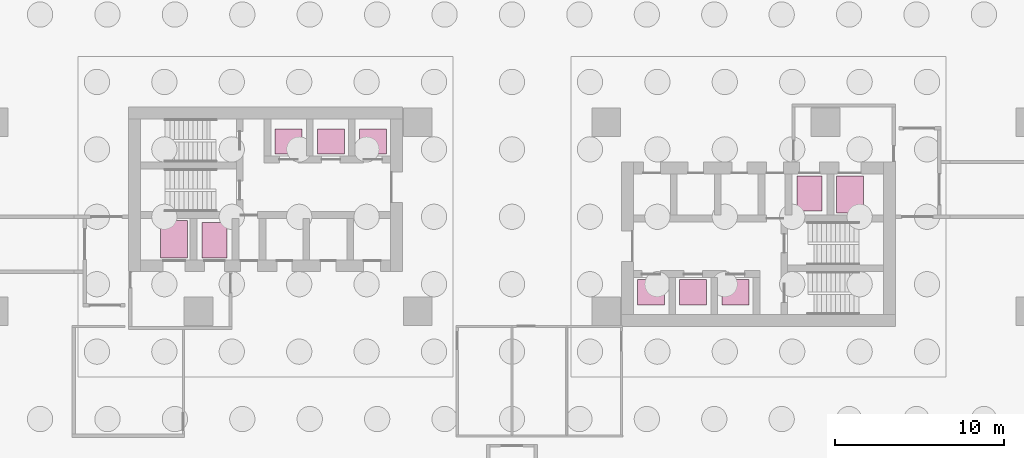
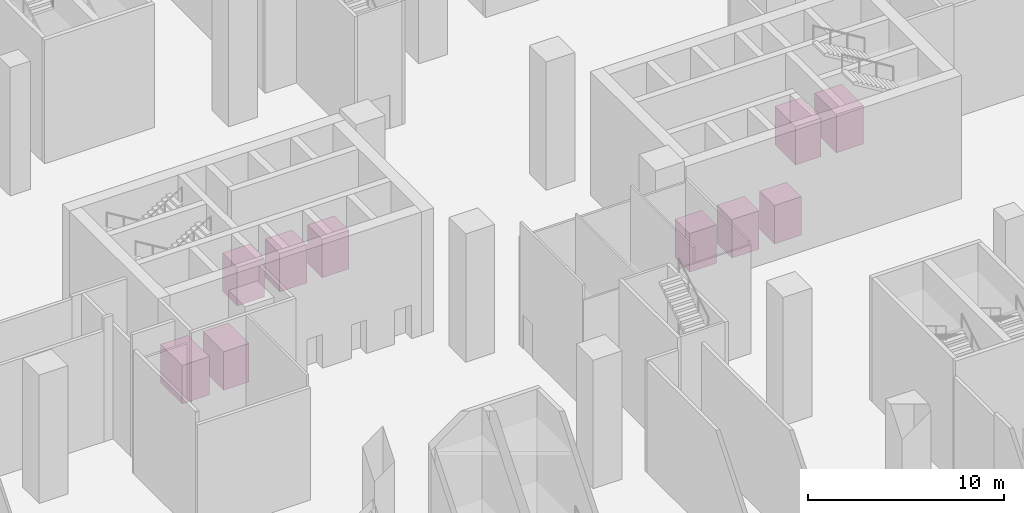
# One storey, part 27 of 27: 10 transport elements.
"""IFC4 building model written with IfcOpenShell, lengths in metres."""

import ifcopenshell
import ifcopenshell.guid

model = None  # the IFC model being written
_history = None  # IfcOwnerHistory: only IFC2X3 demands one
_inside = {}  # id of a spatial element -> (the spatial element, [elements in it])
_under = {}  # id of a project, library or spatial element -> (it, [spatial elements below it])
_declared = {}  # id of a project -> (the project, [libraries it declares])
_typed = {}  # id of a type object -> (the type object, [elements of that type])
_made_of = {}  # id of a material, layer set ... -> (it, [elements and type objects made of it])


def new_model(schema):
    """Start an empty IFC model of exactly this schema.

    Asked for "IFC4X3", IfcOpenShell would pick the latest addendum, in which some entities
    have other attributes; the version numbers below select the first issue.
    IFC2X3 requires an IfcOwnerHistory on every rooted entity: one is made here for all.
    """
    global model, _history
    if schema == "IFC4X3":
        model = ifcopenshell.file(schema_version=(4, 3, 0, 0))
    else:
        model = ifcopenshell.file(schema=schema)
    _inside.clear()
    _under.clear()
    _declared.clear()
    _typed.clear()
    _made_of.clear()
    _history = None
    if model.schema == "IFC2X3":
        org = make("IfcOrganization", Name="unknown")
        user = make(
            "IfcPersonAndOrganization",
            ThePerson=make("IfcPerson", FamilyName="unknown"),
            TheOrganization=org,
        )
        app = make(
            "IfcApplication",
            ApplicationDeveloper=org,
            Version="unknown",
            ApplicationFullName="unknown",
            ApplicationIdentifier="unknown",
        )
        _history = make(
            "IfcOwnerHistory",
            OwningUser=user,
            OwningApplication=app,
            ChangeAction="ADDED",
            CreationDate=0,
        )
    return model


def make(cls, **values):
    """One entity of the class cls with the attributes given. An attribute that is None is left unset."""
    return model.create_entity(
        cls, **{name: value for name, value in values.items() if value is not None}
    )


def rooted(cls, **values):
    """An entity with a GlobalId (a new one), such as an element, a storey or a relation."""
    return make(cls, GlobalId=ifcopenshell.guid.new(), OwnerHistory=_history, **values)


def si_unit(unit_type, name, prefix=None):
    """IfcSIUnit, for example si_unit("LENGTHUNIT", "METRE", prefix="MILLI")."""
    return make("IfcSIUnit", UnitType=unit_type, Prefix=prefix, Name=name)


def assignment(units):
    """IfcUnitAssignment: the units of a project."""
    return None if units is None else make("IfcUnitAssignment", Units=units)


def point(xyz):
    """IfcCartesianPoint."""
    return None if xyz is None else make("IfcCartesianPoint", Coordinates=xyz)


def direction(xyz):
    """IfcDirection."""
    return None if xyz is None else make("IfcDirection", DirectionRatios=xyz)


def frame(location, z_axis=None, x_axis=None):
    """IfcAxis2Placement3D, a coordinate frame: its origin and axes. An axis left out is left unset."""
    return make(
        "IfcAxis2Placement3D",
        Location=point(location),
        Axis=direction(z_axis),
        RefDirection=direction(x_axis),
    )


def frame_2d(location, x_axis=None):
    """IfcAxis2Placement2D, a coordinate frame in the plane: its origin and x axis."""
    return make(
        "IfcAxis2Placement2D", Location=point(location), RefDirection=direction(x_axis)
    )


def origin():
    """The frame at (0, 0, 0) with its axes left unset."""
    return frame((0.0, 0.0, 0.0))


def origin_2d():
    """The frame at (0, 0) in the plane with its x axis left unset."""
    return frame_2d((0.0, 0.0))


def place(relative_to, where):
    """IfcLocalPlacement: puts the frame where relative to a parent placement (None: the world)."""
    return make(
        "IfcLocalPlacement", PlacementRelTo=relative_to, RelativePlacement=where
    )


def context(
    kind, dimensions, precision=None, world=None, true_north=None, identifier=None
):
    """IfcGeometricRepresentationContext, for example the 3D "Model" context."""
    return make(
        "IfcGeometricRepresentationContext",
        ContextIdentifier=identifier,
        ContextType=kind,
        CoordinateSpaceDimension=dimensions,
        Precision=precision,
        WorldCoordinateSystem=world,
        TrueNorth=true_north,
    )


def subcontext(parent, identifier, kind, view, scale=None):
    """IfcGeometricRepresentationSubContext, for example "Body" below "Model"."""
    return make(
        "IfcGeometricRepresentationSubContext",
        ContextIdentifier=identifier,
        ContextType=kind,
        ParentContext=parent,
        TargetScale=scale,
        TargetView=view,
    )


def project(units=None, contexts=None):
    """IfcProject with its units and contexts."""
    return rooted(
        "IfcProject",
        Name="project",
        RepresentationContexts=contexts,
        UnitsInContext=assignment(units),
    )


def spatial(cls, under=None, at=None, **own):
    """A site, building, storey or space (cls), placed at a placement, below another one or the project."""
    s = rooted(cls, ObjectPlacement=at, **own)
    if under is not None:
        _under.setdefault(under.id(), (under, []))[1].append(s)
    return s


def profile(cls, at=None, kind="AREA", **sizes):
    """A parametric profile (cls). Its sizes go by their IFC names, for example OverallWidth=200.0."""
    return make(cls, ProfileType=kind, Position=at, **sizes)


def rectangle(**sizes):
    """IfcRectangleProfileDef."""
    return profile("IfcRectangleProfileDef", **sizes)


def extrude(swept, where, along, depth):
    """IfcExtrudedAreaSolid: the profile swept, set in the frame where, extruded along a direction by depth."""
    return make(
        "IfcExtrudedAreaSolid",
        SweptArea=swept,
        Position=where,
        ExtrudedDirection=direction(along),
        Depth=depth,
    )


def shape(context_of_items, identifier, shape_type, items):
    """IfcShapeRepresentation: the items that make up one representation, for example the "Body"."""
    return make(
        "IfcShapeRepresentation",
        ContextOfItems=context_of_items,
        RepresentationIdentifier=identifier,
        RepresentationType=shape_type,
        Items=items,
    )


def source(mapping_origin, context_of_items, identifier, shape_type, items):
    """IfcRepresentationMap: a shape defined once, which mapped items show again and again."""
    return make(
        "IfcRepresentationMap",
        MappingOrigin=mapping_origin,
        MappedRepresentation=shape(context_of_items, identifier, shape_type, items),
    )


def transform(
    local_origin,
    x_axis=None,
    y_axis=None,
    z_axis=None,
    scale=None,
    scale2=None,
    scale3=None,
    uniform=True,
):
    """IfcCartesianTransformationOperator3D, or its non-uniform kind. x_axis, y_axis, z_axis: its Axis1, 2, 3."""
    if uniform:
        return make(
            "IfcCartesianTransformationOperator3D",
            Axis1=direction(x_axis),
            Axis2=direction(y_axis),
            LocalOrigin=point(local_origin),
            Scale=scale,
            Axis3=direction(z_axis),
        )
    return make(
        "IfcCartesianTransformationOperator3DnonUniform",
        Axis1=direction(x_axis),
        Axis2=direction(y_axis),
        LocalOrigin=point(local_origin),
        Scale=scale,
        Axis3=direction(z_axis),
        Scale2=scale2,
        Scale3=scale3,
    )


def mapped(mapping_source, mapping_target):
    """IfcMappedItem: shows the shape of a source again, moved by a transform."""
    return make(
        "IfcMappedItem", MappingSource=mapping_source, MappingTarget=mapping_target
    )


def material(Name=None, Category=None):
    """IfcMaterial."""
    return make("IfcMaterial", Name=Name, Category=Category)


def made_of(thing, what):
    """Note that an element or type object is made of a material, layer set ...; save() writes the relation."""
    if what is not None:
        _made_of.setdefault(what.id(), (what, []))[1].append(thing)
    return thing


def type_object(cls, material=None, **own):
    """A type object (cls), such as IfcWallType, which elements share."""
    return made_of(rooted(cls, **own), material)


def element(
    cls,
    number,
    at=None,
    inside=None,
    cuts=None,
    type_object=None,
    material=None,
    context=None,
    identifier="Body",
    shape_type=None,
    held_by="IfcProductDefinitionShape",
    body=None,
    shapes=None,
    **own,
):
    """One element of the class cls, such as IfcWall. Its Tag is "e" and its number.

    at: its placement. inside: the storey or other place that contains it. cuts: it is an
    opening in that element (IfcRelVoidsElement). A single representation is given by context,
    identifier, shape_type and body (its items); several are given by shapes. held_by: the class
    of the entity that holds the representations. save() writes the other relations.
    """
    e = rooted(cls, Tag="e%d" % number, ObjectPlacement=at, **own)
    if body is not None:
        shapes = [shape(context, identifier, shape_type, body)]
    if shapes is not None:
        e.Representation = make(held_by, Representations=shapes)
    if inside is not None:
        _inside.setdefault(inside.id(), (inside, []))[1].append(e)
    if cuts is not None:
        rooted(
            "IfcRelVoidsElement", RelatingBuildingElement=cuts, RelatedOpeningElement=e
        )
    if type_object is not None:
        _typed.setdefault(type_object.id(), (type_object, []))[1].append(e)
    return made_of(e, material)


def aggregate(whole, parts):
    """IfcRelAggregates: a whole, such as a stair, and the parts it consists of."""
    return rooted("IfcRelAggregates", RelatingObject=whole, RelatedObjects=parts)


def save(model, path):
    """Write the relations noted so far, then the file.

    IfcRelAggregates (storeys below a building ...), IfcRelContainedInSpatialStructure (elements
    in a storey), IfcRelDefinesByType, IfcRelAssociatesMaterial and IfcRelDeclares: one each for
    every whole, place, type object, material and project.
    """
    for whole, parts in _under.values():
        aggregate(whole, parts)
    for where, things in _inside.values():
        rooted(
            "IfcRelContainedInSpatialStructure",
            RelatedElements=things,
            RelatingStructure=where,
        )
    for kind, things in _typed.values():
        rooted("IfcRelDefinesByType", RelatedObjects=things, RelatingType=kind)
    for what, things in _made_of.values():
        rooted("IfcRelAssociatesMaterial", RelatedObjects=things, RelatingMaterial=what)
    for by, libraries in _declared.values():
        rooted("IfcRelDeclares", RelatingContext=by, RelatedDefinitions=libraries)
    model.write(path)


model = new_model("IFC4")

# Units and contexts
model_context = context("Model", 3, precision=1e-05, world=origin(), true_north=direction((0.0, 1.0)))
body_context = subcontext(model_context, "Body", "Model", "MODEL_VIEW")
ifc_project = project(units=[si_unit("LENGTHUNIT", "METRE"), si_unit("AREAUNIT", "SQUARE_METRE"), si_unit("VOLUMEUNIT", "CUBIC_METRE"), si_unit("PLANEANGLEUNIT", "RADIAN"), si_unit("MASSUNIT", "GRAM", prefix="KILO")], contexts=[model_context])

# Site, building, storey
site_placement = place(None, origin())
site = spatial("IfcSite", under=ifc_project, at=site_placement, CompositionType="ELEMENT")
building_placement = place(site_placement, origin())
building = spatial("IfcBuilding", under=site, at=building_placement, Name="Trellis Farm Tower", CompositionType="ELEMENT")
storey_placement = place(building_placement, origin())
storey = spatial("IfcBuildingStorey", under=building, at=storey_placement, Name="L00", CompositionType="ELEMENT", Elevation=0.0)

# Transport elements
ifc_material = material(Name="Stainless steel", Category="steel")
transport_element_type_1 = type_object("IfcTransportElementType", Name="FIRE-FIGHTING AND SERVICE LIFT 1600 X 2200", PredefinedType="ELEVATOR", material=ifc_material)
transport_element_1_placement = place(storey_placement, frame((20.050048828125, 1.330078125, 0.0), z_axis=(0.0, 0.0, 1.0), x_axis=(1.0, 0.0, 0.0)))
element("IfcTransportElement", 1, at=transport_element_1_placement, inside=storey, type_object=transport_element_type_1, Name="Fire-fighting lift FL1", PredefinedType="ELEVATOR", context=body_context, shape_type="SweptSolid", body=[
    extrude(rectangle(XDim=1.60009765625, YDim=2.199951171875, at=origin_2d()), origin(), (0.0, 0.0, 1.0), 2.39990234375),
])
transport_element_type_2 = type_object("IfcTransportElementType", Name="PASSENGER LIFT 1600 X 1500", PredefinedType="ELEVATOR", material=ifc_material)
transport_element_2_placement = place(storey_placement, frame((8.25, -4.469970703125, 0.0), z_axis=(0.0, 0.0, 1.0), x_axis=(1.0, 0.0, 0.0)))
element("IfcTransportElement", 2, at=transport_element_2_placement, inside=storey, type_object=transport_element_type_2, Name="Passenger shuttle lift LS1", PredefinedType="ELEVATOR", context=body_context, shape_type="SweptSolid", body=[
    extrude(rectangle(XDim=1.60009765625, YDim=1.5, at=origin_2d()), origin(), (0.0, 0.0, 1.0), 2.39990234375),
])
transport_element_type_3 = type_object("IfcTransportElementType", Name="SERVICE GOODS LIFT 1500 X 2100", PredefinedType="ELEVATOR", material=ifc_material)
transport_element_3_placement = place(storey_placement, frame((17.64990234375, 1.3798828125, 0.0), z_axis=(0.0, 0.0, 1.0), x_axis=(1.0, 0.0, 0.0)))
element("IfcTransportElement", 3, at=transport_element_3_placement, inside=storey, type_object=transport_element_type_3, Name="Service lift LG1", PredefinedType="ELEVATOR", context=body_context, shape_type="SweptSolid", body=[
    extrude(rectangle(XDim=1.5, YDim=2.10009765625, at=origin_2d()), origin(), (0.0, 0.0, 1.0), 2.39990234375),
])
shared_shape_1 = source(origin(), body_context, "Body", "SweptSolid", [
    extrude(rectangle(XDim=1.60009765625, YDim=1.5, at=origin_2d()), origin(), (0.0, 0.0, 1.0), 2.39990234375),
])
for number, where, z_axis, x_axis, name in (
    (4, (10.75, -4.469970703125, 0.0), (0.0, 0.0, 1.0), (1.0, 0.0, 0.0), "Passenger lift LL1"),
    (5, (13.25, -4.469970703125, 0.0), (0.0, 0.0, 1.0), (1.0, 0.0, 0.0), "Passenger lift LL2"),
    (6, (-8.25, 4.469970703125, 0.0), (0.0, 0.0, 1.0), (-1.0, 0.0, 0.0), "Passenger shuttle lift LS2"),
    (7, (-10.75, 4.469970703125, 0.0), (0.0, 0.0, 1.0), (-1.0, 0.0, 0.0), "Passenger lift LL3"),
    (8, (-13.25, 4.469970703125, 0.0), (0.0, 0.0, 1.0), (-1.0, 0.0, 0.0), "Passenger lift LL4"),
):
    element("IfcTransportElement", number, at=place(storey_placement, frame(where, z_axis=z_axis, x_axis=x_axis)), inside=storey, type_object=transport_element_type_2, Name=name, PredefinedType="ELEVATOR", context=body_context, shape_type="MappedRepresentation", body=[
        mapped(shared_shape_1, transform((0.0, 0.0, 0.0))),
    ])
shared_shape_2 = source(origin(), body_context, "Body", "SweptSolid", [
    extrude(rectangle(XDim=1.60009765625, YDim=2.199951171875, at=origin_2d()), origin(), (0.0, 0.0, 1.0), 2.39990234375),
])
transport_element_4_placement = place(storey_placement, frame((-20.050048828125, -1.330078125, 0.0), z_axis=(0.0, 0.0, 1.0), x_axis=(-1.0, 0.0, 0.0)))
element("IfcTransportElement", 9, at=transport_element_4_placement, inside=storey, type_object=transport_element_type_1, Name="Fire-fighting lift FL2", PredefinedType="ELEVATOR", context=body_context, shape_type="MappedRepresentation", body=[
    mapped(shared_shape_2, transform((0.0, 0.0, 0.0))),
])
shared_shape_3 = source(origin(), body_context, "Body", "SweptSolid", [
    extrude(rectangle(XDim=1.5, YDim=2.10009765625, at=origin_2d()), origin(), (0.0, 0.0, 1.0), 2.39990234375),
])
transport_element_5_placement = place(storey_placement, frame((-17.64990234375, -1.3798828125, 0.0), z_axis=(0.0, 0.0, 1.0), x_axis=(-1.0, 0.0, 0.0)))
element("IfcTransportElement", 10, at=transport_element_5_placement, inside=storey, type_object=transport_element_type_3, Name="Service lift LG2", PredefinedType="ELEVATOR", context=body_context, shape_type="MappedRepresentation", body=[
    mapped(shared_shape_3, transform((0.0, 0.0, 0.0))),
])

save(model, "model.ifc")
